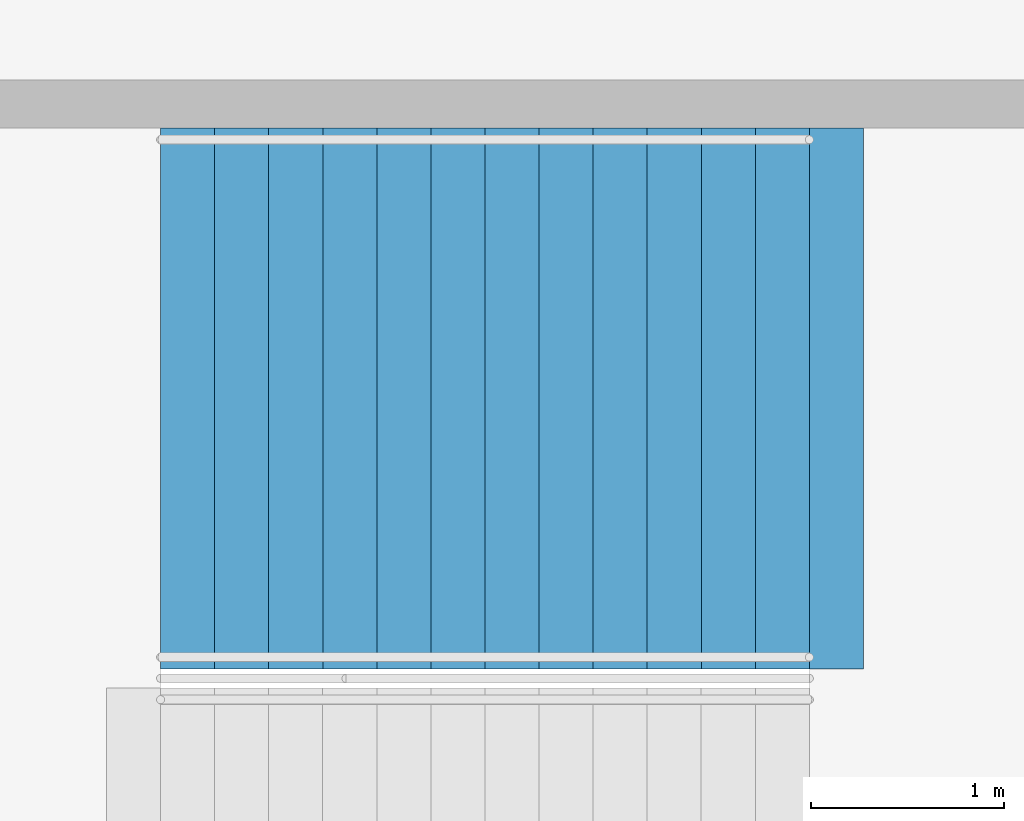
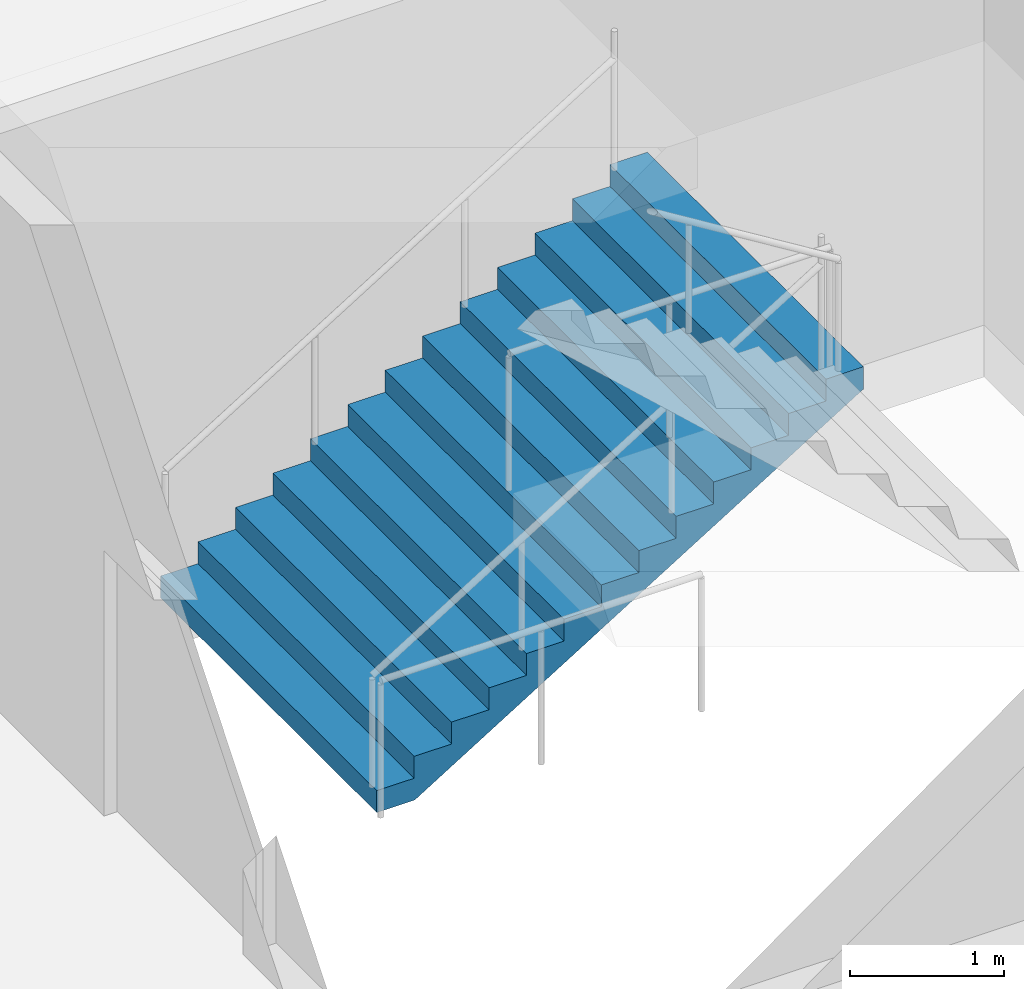
# One storey, part 188 of 249: 1 stair flight, 1 element without a shape of its own.
"""IFC4 building model written with IfcOpenShell, lengths in metres."""

from ifc_helpers import new_model, si_unit, direction, frame, origin, place, context, subcontext, project, spatial, faceted_brep, material, type_object, element, aggregate, save


model = new_model("IFC4")

# Units and contexts
model_context = context("Model", 3, precision=1e-05, world=origin(), true_north=direction((0.0, 1.0)))
body_context = subcontext(model_context, "Body", "Model", "MODEL_VIEW")
ifc_project = project(units=[si_unit("LENGTHUNIT", "METRE"), si_unit("AREAUNIT", "SQUARE_METRE"), si_unit("VOLUMEUNIT", "CUBIC_METRE"), si_unit("PLANEANGLEUNIT", "RADIAN"), si_unit("MASSUNIT", "GRAM", prefix="KILO")], contexts=[model_context])

# Site, building, storey
site_placement = place(None, origin())
site = spatial("IfcSite", under=ifc_project, at=site_placement, CompositionType="ELEMENT")
building_placement = place(site_placement, origin())
building = spatial("IfcBuilding", under=site, at=building_placement, Name="Ogive Plaza Stadium", CompositionType="ELEMENT")
storey_placement = place(building_placement, frame((0.0, 0.0, 13.5)))
storey = spatial("IfcBuildingStorey", under=building, at=storey_placement, Name="L03", CompositionType="ELEMENT", Elevation=13.5)

# Stair, stair flight
ifc_material_1 = material(Name="Concrete C40/50", Category="concrete")
stair_type = type_object("IfcStairType", Name="Exit stair", PredefinedType="STRAIGHT_RUN_STAIR", material=ifc_material_1)
stair_placement = place(storey_placement, origin())
stair = element("IfcStair", 1, at=stair_placement, inside=storey, type_object=stair_type, Name="Exit stair ST04B L03 to L04", PredefinedType="STRAIGHT_RUN_STAIR")
ifc_material_2 = material(Name="Concrete C40/50", Category="concrete")
stair_flight_type = type_object("IfcStairFlightType", Name="Exit stair flight", PredefinedType="STRAIGHT", material=ifc_material_2)
stair_flight_placement = place(storey_placement, frame((76.35009765625, 11.925048828125, 0.0), z_axis=(0.0, 0.0, 1.0), x_axis=(1.0, 0.0, 0.0)))
stair_flight = element("IfcStairFlight", 2, at=stair_flight_placement, type_object=stair_flight_type, Name="ST04B flight 1", NumberOfRisers=13, NumberOfTreads=12, PredefinedType="STRAIGHT", RiserHeight=0.173076923, TreadLength=0.28, context=body_context, shape_type="Brep", body=[
    faceted_brep([(0.28515625, -1.39990234375, 0.0), (3.639892578125, -1.39990234375, 2.07373046875), (3.639892578125, -1.39990234375, 2.25), (3.360107421875, -1.39990234375, 2.25), (3.360107421875, -1.39990234375, 2.076904296875), (3.080078125, -1.39990234375, 2.076904296875), (3.080078125, -1.39990234375, 1.90380859375), (2.800048828125, -1.39990234375, 1.90380859375), (2.800048828125, -1.39990234375, 1.730712890625), (2.52001953125, -1.39990234375, 1.730712890625), (2.52001953125, -1.39990234375, 1.5576171875), (2.239990234375, -1.39990234375, 1.5576171875), (2.239990234375, -1.39990234375, 1.384521484375), (1.9599609375, -1.39990234375, 1.384521484375), (1.9599609375, -1.39990234375, 1.21142578125), (1.679931640625, -1.39990234375, 1.21142578125), (1.679931640625, -1.39990234375, 1.03857421875), (1.39990234375, -1.39990234375, 1.03857421875), (1.39990234375, -1.39990234375, 0.865478515625), (1.1201171875, -1.39990234375, 0.865478515625), (1.1201171875, -1.39990234375, 0.6923828125), (0.840087890625, -1.39990234375, 0.6923828125), (0.840087890625, -1.39990234375, 0.519287109375), (0.56005859375, -1.39990234375, 0.519287109375), (0.56005859375, -1.39990234375, 0.34619140625), (0.280029296875, -1.39990234375, 0.34619140625), (0.280029296875, -1.39990234375, 0.173095703125), (0.0, -1.39990234375, 0.173095703125), (0.0, -1.39990234375, 0.0), (0.0, 1.39990234375, 0.0), (0.0, 1.39990234375, 0.173095703125), (0.280029296875, 1.39990234375, 0.173095703125), (0.280029296875, 1.39990234375, 0.34619140625), (0.56005859375, 1.39990234375, 0.34619140625), (0.56005859375, 1.39990234375, 0.519287109375), (0.840087890625, 1.39990234375, 0.519287109375), (0.840087890625, 1.39990234375, 0.6923828125), (1.1201171875, 1.39990234375, 0.6923828125), (1.1201171875, 1.39990234375, 0.865478515625), (1.39990234375, 1.39990234375, 0.865478515625), (1.39990234375, 1.39990234375, 1.03857421875), (1.679931640625, 1.39990234375, 1.03857421875), (1.679931640625, 1.39990234375, 1.21142578125), (1.9599609375, 1.39990234375, 1.21142578125), (1.9599609375, 1.39990234375, 1.384521484375), (2.239990234375, 1.39990234375, 1.384521484375), (2.239990234375, 1.39990234375, 1.5576171875), (2.52001953125, 1.39990234375, 1.5576171875), (2.52001953125, 1.39990234375, 1.730712890625), (2.800048828125, 1.39990234375, 1.730712890625), (2.800048828125, 1.39990234375, 1.90380859375), (3.080078125, 1.39990234375, 1.90380859375), (3.080078125, 1.39990234375, 2.076904296875), (3.360107421875, 1.39990234375, 2.076904296875), (3.360107421875, 1.39990234375, 2.25), (3.639892578125, 1.39990234375, 2.25), (3.639892578125, 1.39990234375, 2.07373046875), (0.28515625, 1.39990234375, 0.0), (0.28515625, -1.0888671875, 0.0), (3.639892578125, -1.0888671875, 2.07373046875), (0.28515625, -0.77783203125, 0.0), (3.639892578125, -0.77783203125, 2.07373046875), (0.28515625, -0.466796875, 0.0), (3.639892578125, -0.466796875, 2.07373046875), (0.28515625, -0.155517578125, 0.0), (3.639892578125, -0.155517578125, 2.07373046875), (0.28515625, 0.155517578125, 0.0), (3.639892578125, 0.155517578125, 2.07373046875), (0.28515625, 0.466796875, 0.0), (3.639892578125, 0.466796875, 2.07373046875), (0.28515625, 0.77783203125, 0.0), (3.639892578125, 0.77783203125, 2.07373046875), (0.28515625, 1.0888671875, 0.0), (3.639892578125, 1.0888671875, 2.07373046875), (3.639892578125, -1.0888671875, 2.25), (3.639892578125, -0.77783203125, 2.25), (3.639892578125, -0.466796875, 2.25), (3.639892578125, -0.155517578125, 2.25), (3.639892578125, 0.155517578125, 2.25), (3.639892578125, 0.466796875, 2.25), (3.639892578125, 0.77783203125, 2.25), (3.639892578125, 1.0888671875, 2.25), (3.360107421875, -1.0888671875, 2.25), (3.360107421875, -0.77783203125, 2.25), (3.360107421875, -0.466796875, 2.25), (3.360107421875, -0.155517578125, 2.25), (3.360107421875, 0.155517578125, 2.25), (3.360107421875, 0.466796875, 2.25), (3.360107421875, 0.77783203125, 2.25), (3.360107421875, 1.0888671875, 2.25), (3.360107421875, -1.0888671875, 2.076904296875), (3.360107421875, -0.77783203125, 2.076904296875), (3.360107421875, -0.466796875, 2.076904296875), (3.360107421875, -0.155517578125, 2.076904296875), (3.360107421875, 0.155517578125, 2.076904296875), (3.360107421875, 0.466796875, 2.076904296875), (3.360107421875, 0.77783203125, 2.076904296875), (3.360107421875, 1.0888671875, 2.076904296875), (3.080078125, -1.0888671875, 2.076904296875), (3.080078125, -0.77783203125, 2.076904296875), (3.080078125, -0.466796875, 2.076904296875), (3.080078125, -0.155517578125, 2.076904296875), (3.080078125, 0.155517578125, 2.076904296875), (3.080078125, 0.466796875, 2.076904296875), (3.080078125, 0.77783203125, 2.076904296875), (3.080078125, 1.0888671875, 2.076904296875), (3.080078125, -1.0888671875, 1.90380859375), (3.080078125, -0.77783203125, 1.90380859375), (3.080078125, -0.466796875, 1.90380859375), (3.080078125, -0.155517578125, 1.90380859375), (3.080078125, 0.155517578125, 1.90380859375), (3.080078125, 0.466796875, 1.90380859375), (3.080078125, 0.77783203125, 1.90380859375), (3.080078125, 1.0888671875, 1.90380859375), (2.800048828125, -1.0888671875, 1.90380859375), (2.800048828125, -0.77783203125, 1.90380859375), (2.800048828125, -0.466796875, 1.90380859375), (2.800048828125, -0.155517578125, 1.90380859375), (2.800048828125, 0.155517578125, 1.90380859375), (2.800048828125, 0.466796875, 1.90380859375), (2.800048828125, 0.77783203125, 1.90380859375), (2.800048828125, 1.0888671875, 1.90380859375), (2.800048828125, -1.0888671875, 1.730712890625), (2.800048828125, -0.77783203125, 1.730712890625), (2.800048828125, -0.466796875, 1.730712890625), (2.800048828125, -0.155517578125, 1.730712890625), (2.800048828125, 0.155517578125, 1.730712890625), (2.800048828125, 0.466796875, 1.730712890625), (2.800048828125, 0.77783203125, 1.730712890625), (2.800048828125, 1.0888671875, 1.730712890625), (2.52001953125, -1.0888671875, 1.730712890625), (2.52001953125, -0.77783203125, 1.730712890625), (2.52001953125, -0.466796875, 1.730712890625), (2.52001953125, -0.155517578125, 1.730712890625), (2.52001953125, 0.155517578125, 1.730712890625), (2.52001953125, 0.466796875, 1.730712890625), (2.52001953125, 0.77783203125, 1.730712890625), (2.52001953125, 1.0888671875, 1.730712890625), (2.52001953125, -1.0888671875, 1.5576171875), (2.52001953125, -0.77783203125, 1.5576171875), (2.52001953125, -0.466796875, 1.5576171875), (2.52001953125, -0.155517578125, 1.5576171875), (2.52001953125, 0.155517578125, 1.5576171875), (2.52001953125, 0.466796875, 1.5576171875), (2.52001953125, 0.77783203125, 1.5576171875), (2.52001953125, 1.0888671875, 1.5576171875), (2.239990234375, -1.0888671875, 1.5576171875), (2.239990234375, -0.77783203125, 1.5576171875), (2.239990234375, -0.466796875, 1.5576171875), (2.239990234375, -0.155517578125, 1.5576171875), (2.239990234375, 0.155517578125, 1.5576171875), (2.239990234375, 0.466796875, 1.5576171875), (2.239990234375, 0.77783203125, 1.5576171875), (2.239990234375, 1.0888671875, 1.5576171875), (2.239990234375, -1.0888671875, 1.384521484375), (2.239990234375, -0.77783203125, 1.384521484375), (2.239990234375, -0.466796875, 1.384521484375), (2.239990234375, -0.155517578125, 1.384521484375), (2.239990234375, 0.155517578125, 1.384521484375), (2.239990234375, 0.466796875, 1.384521484375), (2.239990234375, 0.77783203125, 1.384521484375), (2.239990234375, 1.0888671875, 1.384521484375), (1.9599609375, -1.0888671875, 1.384521484375), (1.9599609375, -0.77783203125, 1.384521484375), (1.9599609375, -0.466796875, 1.384521484375), (1.9599609375, -0.155517578125, 1.384521484375), (1.9599609375, 0.155517578125, 1.384521484375), (1.9599609375, 0.466796875, 1.384521484375), (1.9599609375, 0.77783203125, 1.384521484375), (1.9599609375, 1.0888671875, 1.384521484375), (1.9599609375, -1.0888671875, 1.21142578125), (1.9599609375, -0.77783203125, 1.21142578125), (1.9599609375, -0.466796875, 1.21142578125), (1.9599609375, -0.155517578125, 1.21142578125), (1.9599609375, 0.155517578125, 1.21142578125), (1.9599609375, 0.466796875, 1.21142578125), (1.9599609375, 0.77783203125, 1.21142578125), (1.9599609375, 1.0888671875, 1.21142578125), (1.679931640625, -1.0888671875, 1.21142578125), (1.679931640625, -0.77783203125, 1.21142578125), (1.679931640625, -0.466796875, 1.21142578125), (1.679931640625, -0.155517578125, 1.21142578125), (1.679931640625, 0.155517578125, 1.21142578125), (1.679931640625, 0.466796875, 1.21142578125), (1.679931640625, 0.77783203125, 1.21142578125), (1.679931640625, 1.0888671875, 1.21142578125), (1.679931640625, -1.0888671875, 1.03857421875), (1.679931640625, -0.77783203125, 1.03857421875), (1.679931640625, -0.466796875, 1.03857421875), (1.679931640625, -0.155517578125, 1.03857421875), (1.679931640625, 0.155517578125, 1.03857421875), (1.679931640625, 0.466796875, 1.03857421875), (1.679931640625, 0.77783203125, 1.03857421875), (1.679931640625, 1.0888671875, 1.03857421875), (1.39990234375, -1.0888671875, 1.03857421875), (1.39990234375, -0.77783203125, 1.03857421875), (1.39990234375, -0.466796875, 1.03857421875), (1.39990234375, -0.155517578125, 1.03857421875), (1.39990234375, 0.155517578125, 1.03857421875), (1.39990234375, 0.466796875, 1.03857421875), (1.39990234375, 0.77783203125, 1.03857421875), (1.39990234375, 1.0888671875, 1.03857421875), (1.39990234375, -1.0888671875, 0.865478515625), (1.39990234375, -0.77783203125, 0.865478515625), (1.39990234375, -0.466796875, 0.865478515625), (1.39990234375, -0.155517578125, 0.865478515625), (1.39990234375, 0.155517578125, 0.865478515625), (1.39990234375, 0.466796875, 0.865478515625), (1.39990234375, 0.77783203125, 0.865478515625), (1.39990234375, 1.0888671875, 0.865478515625), (1.1201171875, -1.0888671875, 0.865478515625), (1.1201171875, -0.77783203125, 0.865478515625), (1.1201171875, -0.466796875, 0.865478515625), (1.1201171875, -0.155517578125, 0.865478515625), (1.1201171875, 0.155517578125, 0.865478515625), (1.1201171875, 0.466796875, 0.865478515625), (1.1201171875, 0.77783203125, 0.865478515625), (1.1201171875, 1.0888671875, 0.865478515625), (1.1201171875, -1.0888671875, 0.6923828125), (1.1201171875, -0.77783203125, 0.6923828125), (1.1201171875, -0.466796875, 0.6923828125), (1.1201171875, -0.155517578125, 0.6923828125), (1.1201171875, 0.155517578125, 0.6923828125), (1.1201171875, 0.466796875, 0.6923828125), (1.1201171875, 0.77783203125, 0.6923828125), (1.1201171875, 1.0888671875, 0.6923828125), (0.840087890625, -1.0888671875, 0.6923828125), (0.840087890625, -0.77783203125, 0.6923828125), (0.840087890625, -0.466796875, 0.6923828125), (0.840087890625, -0.155517578125, 0.6923828125), (0.840087890625, 0.155517578125, 0.6923828125), (0.840087890625, 0.466796875, 0.6923828125), (0.840087890625, 0.77783203125, 0.6923828125), (0.840087890625, 1.0888671875, 0.6923828125), (0.840087890625, -1.0888671875, 0.519287109375), (0.840087890625, -0.77783203125, 0.519287109375), (0.840087890625, -0.466796875, 0.519287109375), (0.840087890625, -0.155517578125, 0.519287109375), (0.840087890625, 0.155517578125, 0.519287109375), (0.840087890625, 0.466796875, 0.519287109375), (0.840087890625, 0.77783203125, 0.519287109375), (0.840087890625, 1.0888671875, 0.519287109375), (0.56005859375, -1.0888671875, 0.519287109375), (0.56005859375, -0.77783203125, 0.519287109375), (0.56005859375, -0.466796875, 0.519287109375), (0.56005859375, -0.155517578125, 0.519287109375), (0.56005859375, 0.155517578125, 0.519287109375), (0.56005859375, 0.466796875, 0.519287109375), (0.56005859375, 0.77783203125, 0.519287109375), (0.56005859375, 1.0888671875, 0.519287109375), (0.56005859375, -1.0888671875, 0.34619140625), (0.56005859375, -0.77783203125, 0.34619140625), (0.56005859375, -0.466796875, 0.34619140625), (0.56005859375, -0.155517578125, 0.34619140625), (0.56005859375, 0.155517578125, 0.34619140625), (0.56005859375, 0.466796875, 0.34619140625), (0.56005859375, 0.77783203125, 0.34619140625), (0.56005859375, 1.0888671875, 0.34619140625), (0.280029296875, -1.0888671875, 0.34619140625), (0.280029296875, -0.77783203125, 0.34619140625), (0.280029296875, -0.466796875, 0.34619140625), (0.280029296875, -0.155517578125, 0.34619140625), (0.280029296875, 0.155517578125, 0.34619140625), (0.280029296875, 0.466796875, 0.34619140625), (0.280029296875, 0.77783203125, 0.34619140625), (0.280029296875, 1.0888671875, 0.34619140625), (0.280029296875, -1.0888671875, 0.173095703125), (0.280029296875, -0.77783203125, 0.173095703125), (0.280029296875, -0.466796875, 0.173095703125), (0.280029296875, -0.155517578125, 0.173095703125), (0.280029296875, 0.155517578125, 0.173095703125), (0.280029296875, 0.466796875, 0.173095703125), (0.280029296875, 0.77783203125, 0.173095703125), (0.280029296875, 1.0888671875, 0.173095703125), (0.0, -1.0888671875, 0.173095703125), (0.0, -0.77783203125, 0.173095703125), (0.0, -0.466796875, 0.173095703125), (0.0, -0.155517578125, 0.173095703125), (0.0, 0.155517578125, 0.173095703125), (0.0, 0.466796875, 0.173095703125), (0.0, 0.77783203125, 0.173095703125), (0.0, 1.0888671875, 0.173095703125), (0.0, -1.0888671875, 0.0), (0.0, -0.77783203125, 0.0), (0.0, -0.466796875, 0.0), (0.0, -0.155517578125, 0.0), (0.0, 0.155517578125, 0.0), (0.0, 0.466796875, 0.0), (0.0, 0.77783203125, 0.0), (0.0, 1.0888671875, 0.0)], [[[0, 1, 2, 3, 4, 5, 6, 7, 8, 9, 10, 11, 12, 13, 14, 15, 16, 17, 18, 19, 20, 21, 22, 23, 24, 25, 26, 27, 28]], [[29, 30, 31, 32, 33, 34, 35, 36, 37, 38, 39, 40, 41, 42, 43, 44, 45, 46, 47, 48, 49, 50, 51, 52, 53, 54, 55, 56, 57]], [[0, 58, 59, 1]], [[58, 60, 61, 59]], [[60, 62, 63, 61]], [[62, 64, 65, 63]], [[64, 66, 67, 65]], [[66, 68, 69, 67]], [[68, 70, 71, 69]], [[70, 72, 73, 71]], [[72, 57, 56, 73]], [[1, 59, 74, 2]], [[59, 61, 75, 74]], [[61, 63, 76, 75]], [[63, 65, 77, 76]], [[65, 67, 78, 77]], [[67, 69, 79, 78]], [[69, 71, 80, 79]], [[71, 73, 81, 80]], [[73, 56, 55, 81]], [[2, 74, 82, 3]], [[74, 75, 83, 82]], [[75, 76, 84, 83]], [[76, 77, 85, 84]], [[77, 78, 86, 85]], [[78, 79, 87, 86]], [[79, 80, 88, 87]], [[80, 81, 89, 88]], [[81, 55, 54, 89]], [[3, 82, 90, 4]], [[82, 83, 91, 90]], [[83, 84, 92, 91]], [[84, 85, 93, 92]], [[85, 86, 94, 93]], [[86, 87, 95, 94]], [[87, 88, 96, 95]], [[88, 89, 97, 96]], [[89, 54, 53, 97]], [[4, 90, 98, 5]], [[90, 91, 99, 98]], [[91, 92, 100, 99]], [[92, 93, 101, 100]], [[93, 94, 102, 101]], [[94, 95, 103, 102]], [[95, 96, 104, 103]], [[96, 97, 105, 104]], [[97, 53, 52, 105]], [[5, 98, 106, 6]], [[98, 99, 107, 106]], [[99, 100, 108, 107]], [[100, 101, 109, 108]], [[101, 102, 110, 109]], [[102, 103, 111, 110]], [[103, 104, 112, 111]], [[104, 105, 113, 112]], [[105, 52, 51, 113]], [[6, 106, 114, 7]], [[106, 107, 115, 114]], [[107, 108, 116, 115]], [[108, 109, 117, 116]], [[109, 110, 118, 117]], [[110, 111, 119, 118]], [[111, 112, 120, 119]], [[112, 113, 121, 120]], [[113, 51, 50, 121]], [[7, 114, 122, 8]], [[114, 115, 123, 122]], [[115, 116, 124, 123]], [[116, 117, 125, 124]], [[117, 118, 126, 125]], [[118, 119, 127, 126]], [[119, 120, 128, 127]], [[120, 121, 129, 128]], [[121, 50, 49, 129]], [[8, 122, 130, 9]], [[122, 123, 131, 130]], [[123, 124, 132, 131]], [[124, 125, 133, 132]], [[125, 126, 134, 133]], [[126, 127, 135, 134]], [[127, 128, 136, 135]], [[128, 129, 137, 136]], [[129, 49, 48, 137]], [[9, 130, 138, 10]], [[130, 131, 139, 138]], [[131, 132, 140, 139]], [[132, 133, 141, 140]], [[133, 134, 142, 141]], [[134, 135, 143, 142]], [[135, 136, 144, 143]], [[136, 137, 145, 144]], [[137, 48, 47, 145]], [[10, 138, 146, 11]], [[138, 139, 147, 146]], [[139, 140, 148, 147]], [[140, 141, 149, 148]], [[141, 142, 150, 149]], [[142, 143, 151, 150]], [[143, 144, 152, 151]], [[144, 145, 153, 152]], [[145, 47, 46, 153]], [[11, 146, 154, 12]], [[146, 147, 155, 154]], [[147, 148, 156, 155]], [[148, 149, 157, 156]], [[149, 150, 158, 157]], [[150, 151, 159, 158]], [[151, 152, 160, 159]], [[152, 153, 161, 160]], [[153, 46, 45, 161]], [[12, 154, 162, 13]], [[154, 155, 163, 162]], [[155, 156, 164, 163]], [[156, 157, 165, 164]], [[157, 158, 166, 165]], [[158, 159, 167, 166]], [[159, 160, 168, 167]], [[160, 161, 169, 168]], [[161, 45, 44, 169]], [[13, 162, 170, 14]], [[162, 163, 171, 170]], [[163, 164, 172, 171]], [[164, 165, 173, 172]], [[165, 166, 174, 173]], [[166, 167, 175, 174]], [[167, 168, 176, 175]], [[168, 169, 177, 176]], [[169, 44, 43, 177]], [[14, 170, 178, 15]], [[170, 171, 179, 178]], [[171, 172, 180, 179]], [[172, 173, 181, 180]], [[173, 174, 182, 181]], [[174, 175, 183, 182]], [[175, 176, 184, 183]], [[176, 177, 185, 184]], [[177, 43, 42, 185]], [[15, 178, 186, 16]], [[178, 179, 187, 186]], [[179, 180, 188, 187]], [[180, 181, 189, 188]], [[181, 182, 190, 189]], [[182, 183, 191, 190]], [[183, 184, 192, 191]], [[184, 185, 193, 192]], [[185, 42, 41, 193]], [[16, 186, 194, 17]], [[186, 187, 195, 194]], [[187, 188, 196, 195]], [[188, 189, 197, 196]], [[189, 190, 198, 197]], [[190, 191, 199, 198]], [[191, 192, 200, 199]], [[192, 193, 201, 200]], [[193, 41, 40, 201]], [[17, 194, 202, 18]], [[194, 195, 203, 202]], [[195, 196, 204, 203]], [[196, 197, 205, 204]], [[197, 198, 206, 205]], [[198, 199, 207, 206]], [[199, 200, 208, 207]], [[200, 201, 209, 208]], [[201, 40, 39, 209]], [[18, 202, 210, 19]], [[202, 203, 211, 210]], [[203, 204, 212, 211]], [[204, 205, 213, 212]], [[205, 206, 214, 213]], [[206, 207, 215, 214]], [[207, 208, 216, 215]], [[208, 209, 217, 216]], [[209, 39, 38, 217]], [[19, 210, 218, 20]], [[210, 211, 219, 218]], [[211, 212, 220, 219]], [[212, 213, 221, 220]], [[213, 214, 222, 221]], [[214, 215, 223, 222]], [[215, 216, 224, 223]], [[216, 217, 225, 224]], [[217, 38, 37, 225]], [[20, 218, 226, 21]], [[218, 219, 227, 226]], [[219, 220, 228, 227]], [[220, 221, 229, 228]], [[221, 222, 230, 229]], [[222, 223, 231, 230]], [[223, 224, 232, 231]], [[224, 225, 233, 232]], [[225, 37, 36, 233]], [[21, 226, 234, 22]], [[226, 227, 235, 234]], [[227, 228, 236, 235]], [[228, 229, 237, 236]], [[229, 230, 238, 237]], [[230, 231, 239, 238]], [[231, 232, 240, 239]], [[232, 233, 241, 240]], [[233, 36, 35, 241]], [[22, 234, 242, 23]], [[234, 235, 243, 242]], [[235, 236, 244, 243]], [[236, 237, 245, 244]], [[237, 238, 246, 245]], [[238, 239, 247, 246]], [[239, 240, 248, 247]], [[240, 241, 249, 248]], [[241, 35, 34, 249]], [[23, 242, 250, 24]], [[242, 243, 251, 250]], [[243, 244, 252, 251]], [[244, 245, 253, 252]], [[245, 246, 254, 253]], [[246, 247, 255, 254]], [[247, 248, 256, 255]], [[248, 249, 257, 256]], [[249, 34, 33, 257]], [[24, 250, 258, 25]], [[250, 251, 259, 258]], [[251, 252, 260, 259]], [[252, 253, 261, 260]], [[253, 254, 262, 261]], [[254, 255, 263, 262]], [[255, 256, 264, 263]], [[256, 257, 265, 264]], [[257, 33, 32, 265]], [[25, 258, 266, 26]], [[258, 259, 267, 266]], [[259, 260, 268, 267]], [[260, 261, 269, 268]], [[261, 262, 270, 269]], [[262, 263, 271, 270]], [[263, 264, 272, 271]], [[264, 265, 273, 272]], [[265, 32, 31, 273]], [[26, 266, 274, 27]], [[266, 267, 275, 274]], [[267, 268, 276, 275]], [[268, 269, 277, 276]], [[269, 270, 278, 277]], [[270, 271, 279, 278]], [[271, 272, 280, 279]], [[272, 273, 281, 280]], [[273, 31, 30, 281]], [[27, 274, 282, 28]], [[274, 275, 283, 282]], [[275, 276, 284, 283]], [[276, 277, 285, 284]], [[277, 278, 286, 285]], [[278, 279, 287, 286]], [[279, 280, 288, 287]], [[280, 281, 289, 288]], [[281, 30, 29, 289]], [[28, 282, 58, 0]], [[282, 283, 60, 58]], [[283, 284, 62, 60]], [[284, 285, 64, 62]], [[285, 286, 66, 64]], [[286, 287, 68, 66]], [[287, 288, 70, 68]], [[288, 289, 72, 70]], [[289, 29, 57, 72]]]),
])
aggregate(stair, [stair_flight])

save(model, "model.ifc")
